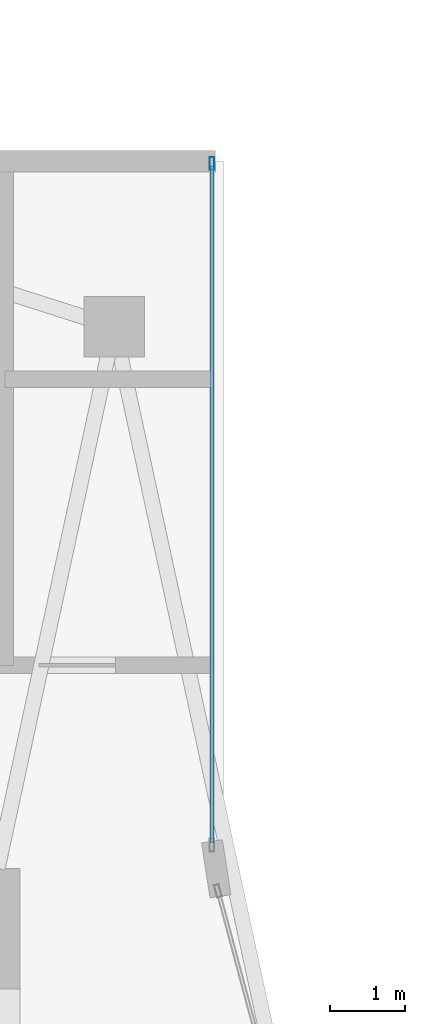
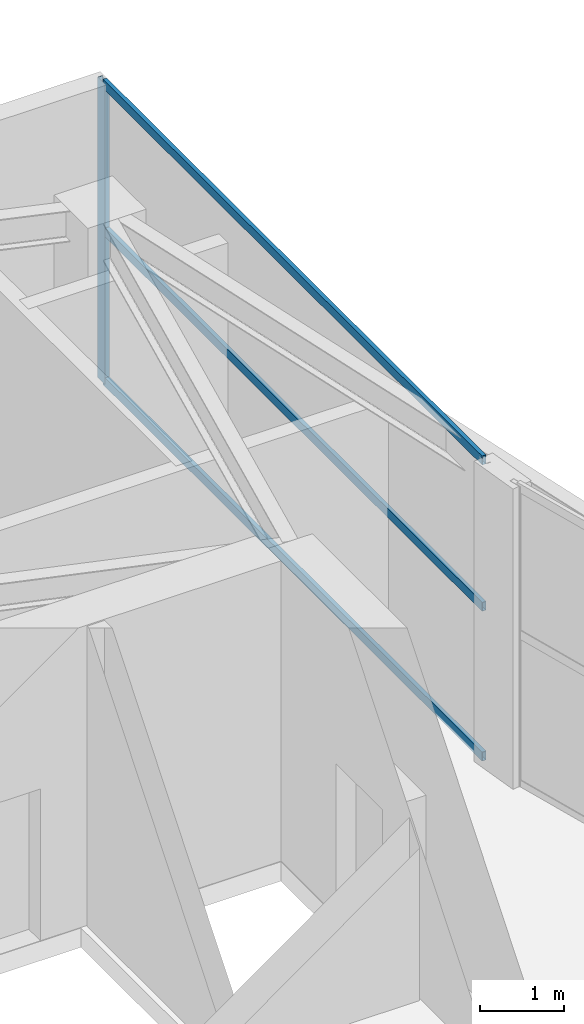
# One storey, part 7 of 15: 4 members, 1 element without a shape of its own.
"""IFC4 building model written with IfcOpenShell, lengths in metres."""

from ifc_helpers import new_model, si_unit, direction, frame, origin, origin_2d, place, context, subcontext, project, spatial, hollow_rectangle, extrude, material, layer, layer_set, material_profile, profile_set, type_object, element, aggregate, save


model = new_model("IFC4")

# Units and contexts
model_context = context("Model", 3, precision=1e-05, world=origin(), true_north=direction((0.0, 1.0)))
body_context = subcontext(model_context, "Body", "Model", "MODEL_VIEW")
ifc_project = project(units=[si_unit("LENGTHUNIT", "METRE"), si_unit("AREAUNIT", "SQUARE_METRE"), si_unit("VOLUMEUNIT", "CUBIC_METRE"), si_unit("PLANEANGLEUNIT", "RADIAN"), si_unit("MASSUNIT", "GRAM", prefix="KILO")], contexts=[model_context])

# Site, building, storey
site_placement = place(None, origin())
site = spatial("IfcSite", under=ifc_project, at=site_placement, CompositionType="ELEMENT")
building_placement = place(site_placement, origin())
building = spatial("IfcBuilding", under=site, at=building_placement, Name="Calvorn Quay Hotel", CompositionType="ELEMENT")
storey_placement = place(building_placement, frame((0.0, 0.0, 282.5)))
storey = spatial("IfcBuildingStorey", under=building, at=storey_placement, Name="L70", CompositionType="ELEMENT", Elevation=282.5)

# Curtain wall, members
ifc_material_1 = material(Name="Champagne Bronze Anodised Aluminium and Low-E Glass", Category="aluminium")
ifc_layer = layer(ifc_material_1, 0.219970703125)
ifc_layer_set = layer_set([ifc_layer], Name="CW-SYS-Z4")
curtain_wall_type = type_object("IfcCurtainWallType", Name="CW-SYS-Z4", PredefinedType="NOTDEFINED", material=ifc_layer_set)
curtain_wall_placement = place(storey_placement, origin())
curtain_wall = element("IfcCurtainWall", 1, at=curtain_wall_placement, inside=storey, type_object=curtain_wall_type, Name="Inner Court Curtain Wall L70-IC2", PredefinedType="NOTDEFINED")
ifc_material_2 = material(Name="Champagne Bronze Anodised Aluminium 6063-T6", Category="aluminium")
ifc_material_profile_1 = material_profile(ifc_material_2, hollow_rectangle(XDim=0.06494140625, YDim=0.169921875, WallThickness=0.00341796875, at=origin_2d()), Name="ALU-M170x65x3.5")
ifc_profile_set_1 = profile_set([ifc_material_profile_1], Name="Champagne Bronze Anodised Aluminium 6063-T6")
member_type_1 = type_object("IfcMemberType", Name="CW-SYS-Z4-MUL", PredefinedType="MULLION", material=ifc_profile_set_1)
member_1_placement = place(storey_placement, frame((17.85009765625, 47.77001953125, 0.0), z_axis=(0.0, 0.0, 1.0), x_axis=(-1.0, 0.0, 0.0)))
member_1 = element("IfcMember", 2, at=member_1_placement, type_object=member_type_1, Name="CW-L70-IC2 mullion 2", PredefinedType="MULLION", context=body_context, shape_type="SweptSolid", body=[
    extrude(hollow_rectangle(XDim=0.06494140625, YDim=0.169921875, WallThickness=0.00341796875, at=origin_2d()), origin(), (0.0, 0.0, 1.0), 4.35009765625),
])
ifc_material_3 = material(Name="Champagne Bronze Anodised Aluminium 6063-T6", Category="aluminium")
ifc_material_profile_2 = material_profile(ifc_material_3, hollow_rectangle(XDim=0.054931640625, YDim=0.1298828125, WallThickness=0.003173828125, at=origin_2d()), Name="ALU-T130x55x3.2")
ifc_profile_set_2 = profile_set([ifc_material_profile_2], Name="Champagne Bronze Anodised Aluminium 6063-T6")
member_type_2 = type_object("IfcMemberType", Name="CW-SYS-Z4-TRN", PredefinedType="USERDEFINED", material=ifc_profile_set_2)
member_2_placement = place(storey_placement, frame((17.85009765625, 38.739990234375, 0.030029296875), z_axis=(0.0, 1.0, 0.0), x_axis=(-1.0, 0.0, 0.0)))
member_2 = element("IfcMember", 3, at=member_2_placement, type_object=member_type_2, Name="CW-L70-IC2 transom 1.1", ObjectType="TRANSOM", PredefinedType="USERDEFINED", context=body_context, shape_type="SweptSolid", body=[
    extrude(hollow_rectangle(XDim=0.054931640625, YDim=0.1298828125, WallThickness=0.003173828125, at=origin_2d()), origin(), (0.0, 0.0, 1.0), 9.0),
])
member_3_placement = place(storey_placement, frame((17.85009765625, 38.739990234375, 2.199951171875), z_axis=(0.0, 1.0, 0.0), x_axis=(-1.0, 0.0, 0.0)))
member_3 = element("IfcMember", 4, at=member_3_placement, type_object=member_type_2, Name="CW-L70-IC2 transom 1.2", ObjectType="TRANSOM", PredefinedType="USERDEFINED", context=body_context, shape_type="SweptSolid", body=[
    extrude(hollow_rectangle(XDim=0.054931640625, YDim=0.1298828125, WallThickness=0.003173828125, at=origin_2d()), origin(), (0.0, 0.0, 1.0), 9.0),
])
member_4_placement = place(storey_placement, frame((17.85009765625, 38.739990234375, 4.320068359375), z_axis=(0.0, 1.0, 0.0), x_axis=(-1.0, 0.0, 0.0)))
member_4 = element("IfcMember", 5, at=member_4_placement, type_object=member_type_2, Name="CW-L70-IC2 transom 1.3", ObjectType="TRANSOM", PredefinedType="USERDEFINED", context=body_context, shape_type="SweptSolid", body=[
    extrude(hollow_rectangle(XDim=0.054931640625, YDim=0.1298828125, WallThickness=0.003173828125, at=origin_2d()), origin(), (0.0, 0.0, 1.0), 9.0),
])
aggregate(curtain_wall, [member_1, member_2, member_3, member_4])

save(model, "model.ifc")
